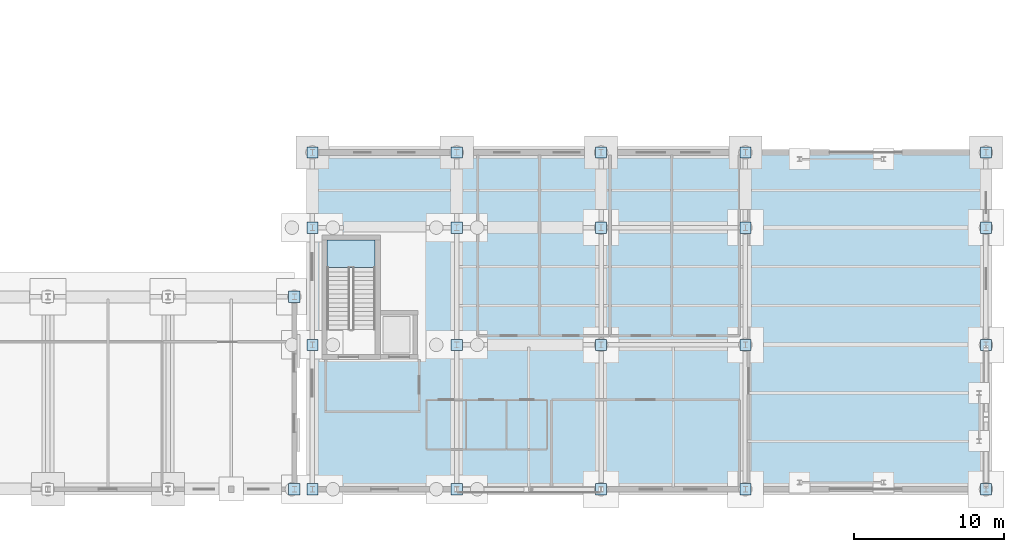
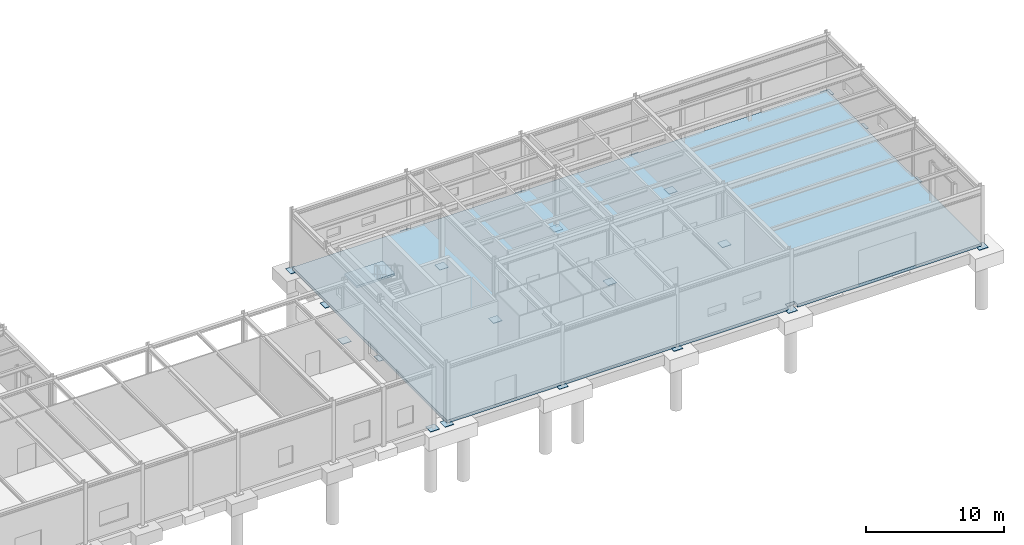
# One storey, part 77 of 109: 22 plates, 2 slabs, 1 element without a shape of its own.
"""IFC4 building model written with IfcOpenShell, lengths in metres."""

from ifc_helpers import new_model, si_unit, direction, frame, origin, origin_2d, place, context, subcontext, project, spatial, polyline, rectangle, outline, extrude, material, layer, layer_set, type_object, element, aggregate, save


model = new_model("IFC4")

# Units and contexts
model_context = context("Model", 3, precision=1e-05, world=origin(), true_north=direction((0.0, 1.0)))
body_context = subcontext(model_context, "Body", "Model", "MODEL_VIEW")
ifc_project = project(units=[si_unit("LENGTHUNIT", "METRE"), si_unit("AREAUNIT", "SQUARE_METRE"), si_unit("VOLUMEUNIT", "CUBIC_METRE"), si_unit("PLANEANGLEUNIT", "RADIAN"), si_unit("MASSUNIT", "GRAM", prefix="KILO")], contexts=[model_context])

# Site, building, storey
site_placement = place(None, origin())
site = spatial("IfcSite", under=ifc_project, at=site_placement, CompositionType="ELEMENT")
building_placement = place(site_placement, origin())
building = spatial("IfcBuilding", under=site, at=building_placement, Name="Nordkorset Police Headquarters", CompositionType="ELEMENT")
storey_placement = place(building_placement, origin())
storey = spatial("IfcBuildingStorey", under=building, at=storey_placement, Name="L00", CompositionType="ELEMENT", Elevation=0.0)

# Slab
ifc_material_1 = material(Name="Concrete C35/45", Category="concrete")
ifc_layer_1 = layer(ifc_material_1, 0.27001953125, Name="Concrete C35/45")
ifc_layer_set_1 = layer_set([ifc_layer_1], Name="Concrete C35/45")
slab_type_1 = type_object("IfcSlabType", Name="Slab_Ground_270", PredefinedType="FLOOR", material=ifc_layer_set_1)
slab_1_placement = place(storey_placement, frame((0.0, 0.0, -0.27001953125)))
element("IfcSlab", 1, at=slab_1_placement, inside=storey, type_object=slab_type_1, Name="Custody Wing Floor Slab V6 L00", PredefinedType="FLOOR", context=body_context, shape_type="SweptSolid", body=[
    extrude(outline(polyline([(126.39990234375, 0.0), (155.0, 0.0), (155.0, 0.449951171875), (155.800048828125, 0.449951171875), (155.800048828125, 0.0), (171.199951171875, 0.0), (171.199951171875, 22.39990234375), (126.39990234375, 22.39990234375), (126.39990234375, 0.0)])), origin(), (0.0, 0.0, 1.0), 0.27001953125),
])

# Stair, slab
ifc_material_2 = material(Name="Concrete C35/45", Category="concrete")
stair_type = type_object("IfcStairType", Name="ST-52", PredefinedType="HALF_TURN_STAIR", material=ifc_material_2)
stair_placement = place(storey_placement, origin())
stair = element("IfcStair", 2, at=stair_placement, inside=storey, type_object=stair_type, Name="L00 Protected Escape Stair ST-06", PredefinedType="HALF_TURN_STAIR")
ifc_material_3 = material(Name="Concrete C35/45", Category="concrete")
ifc_layer_2 = layer(ifc_material_3, 0.199951171875, Name="Concrete C35/45")
ifc_layer_set_2 = layer_set([ifc_layer_2], Name="Concrete C35/45")
slab_type_2 = type_object("IfcSlabType", Name="Slab_StairLanding_200", PredefinedType="LANDING", material=ifc_layer_set_2)
slab_2_placement = place(storey_placement, frame((0.0, 0.0, 2.425048828125)))
slab_2 = element("IfcSlab", 3, at=slab_2_placement, type_object=slab_type_2, Name="ST-06 landing 1", PredefinedType="LANDING", context=body_context, shape_type="SweptSolid", body=[
    extrude(outline(polyline([(130.574951171875, 14.7548828125), (130.574951171875, 16.574951171875), (127.375, 16.574951171875), (127.375, 14.7548828125), (130.574951171875, 14.7548828125)])), origin(), (0.0, 0.0, 1.0), 0.199951171875),
])
aggregate(stair, [slab_2])

# Plates
ifc_material_4 = material(Name="Steel S355J2", Category="steel")
ifc_layer_3 = layer(ifc_material_4, 0.0400390625, Name="Steel S355J2")
ifc_layer_set_3 = layer_set([ifc_layer_3], Name="Steel S355J2")
plate_type = type_object("IfcPlateType", Name="SteelPlate_40mm", PredefinedType="SHEET", material=ifc_layer_set_3)
for number, where, z_axis, x_axis, name in (
    (4, (126.39990234375, 22.39990234375, -0.27001953125), (0.0, 0.0, 1.0), (1.0, 0.0, 0.0), "Column Baseplate V6_N_0"),
    (5, (126.39990234375, 0.0, -0.27001953125), (0.0, 0.0, 1.0), (1.0, 0.0, 0.0), "Column Baseplate V6_Y0_0"),
    (6, (126.39990234375, 9.60009765625, -0.27001953125), (0.0, 0.0, 1.0), (1.0, 0.0, 0.0), "Column Baseplate V6_Y1_0"),
    (7, (126.39990234375, 17.39990234375, -0.27001953125), (0.0, 0.0, 1.0), (1.0, 0.0, 0.0), "Column Baseplate V6_Y2_0"),
    (8, (136.0, 22.39990234375, -0.27001953125), (0.0, 0.0, 1.0), (1.0, 0.0, 0.0), "Column Baseplate V6_N_1"),
    (9, (136.0, 0.0, -0.27001953125), (0.0, 0.0, 1.0), (1.0, 0.0, 0.0), "Column Baseplate V6_Y0_1"),
    (10, (136.0, 9.60009765625, -0.27001953125), (0.0, 0.0, 1.0), (1.0, 0.0, 0.0), "Column Baseplate V6_Y1_1"),
    (11, (136.0, 17.39990234375, -0.27001953125), (0.0, 0.0, 1.0), (1.0, 0.0, 0.0), "Column Baseplate V6_Y2_1"),
    (12, (145.60009765625, 22.39990234375, -0.27001953125), (0.0, 0.0, 1.0), (1.0, 0.0, 0.0), "Column Baseplate V6_N_2"),
    (13, (145.60009765625, 0.0, -0.27001953125), (0.0, 0.0, 1.0), (1.0, 0.0, 0.0), "Column Baseplate V6_Y0_2"),
    (14, (145.60009765625, 9.60009765625, -0.27001953125), (0.0, 0.0, 1.0), (1.0, 0.0, 0.0), "Column Baseplate V6_Y1_2"),
    (15, (145.60009765625, 17.39990234375, -0.27001953125), (0.0, 0.0, 1.0), (1.0, 0.0, 0.0), "Column Baseplate V6_Y2_2"),
    (16, (155.199951171875, 22.39990234375, -0.27001953125), (0.0, 0.0, 1.0), (1.0, 0.0, 0.0), "Column Baseplate V6_N_3"),
    (17, (155.199951171875, 0.0, -0.27001953125), (0.0, 0.0, 1.0), (1.0, 0.0, 0.0), "Column Baseplate V6_Y0_3"),
    (18, (155.199951171875, 9.60009765625, -0.27001953125), (0.0, 0.0, 1.0), (1.0, 0.0, 0.0), "Column Baseplate V6_Y1_3"),
    (19, (155.199951171875, 17.39990234375, -0.27001953125), (0.0, 0.0, 1.0), (1.0, 0.0, 0.0), "Column Baseplate V6_Y2_3"),
    (20, (171.199951171875, 22.39990234375, -0.27001953125), (0.0, 0.0, 1.0), (1.0, 0.0, 0.0), "Column Baseplate V6_N_4"),
    (21, (171.199951171875, 0.0, -0.27001953125), (0.0, 0.0, 1.0), (1.0, 0.0, 0.0), "Column Baseplate V6_Y0_4"),
    (22, (171.199951171875, 9.60009765625, -0.27001953125), (0.0, 0.0, 1.0), (1.0, 0.0, 0.0), "Column Baseplate V6_Y1_4"),
    (23, (171.199951171875, 17.39990234375, -0.27001953125), (0.0, 0.0, 1.0), (1.0, 0.0, 0.0), "Column Baseplate V6_Y2_4"),
    (24, (125.199951171875, 0.0, -0.27001953125), (0.0, 0.0, 1.0), (1.0, 0.0, 0.0), "Column Baseplate V7_S0_14"),
    (25, (125.199951171875, 12.800048828125, -0.27001953125), (0.0, 0.0, 1.0), (1.0, 0.0, 0.0), "Column Baseplate V7_S1_14"),
):
    element("IfcPlate", number, at=place(storey_placement, frame(where, z_axis=z_axis, x_axis=x_axis)), inside=storey, type_object=plate_type, Name=name, PredefinedType="SHEET", context=body_context, shape_type="SweptSolid", body=[
        extrude(rectangle(XDim=0.75, YDim=0.75, at=origin_2d()), origin(), (0.0, 0.0, 1.0), 0.0400390625),
    ])

save(model, "model.ifc")
